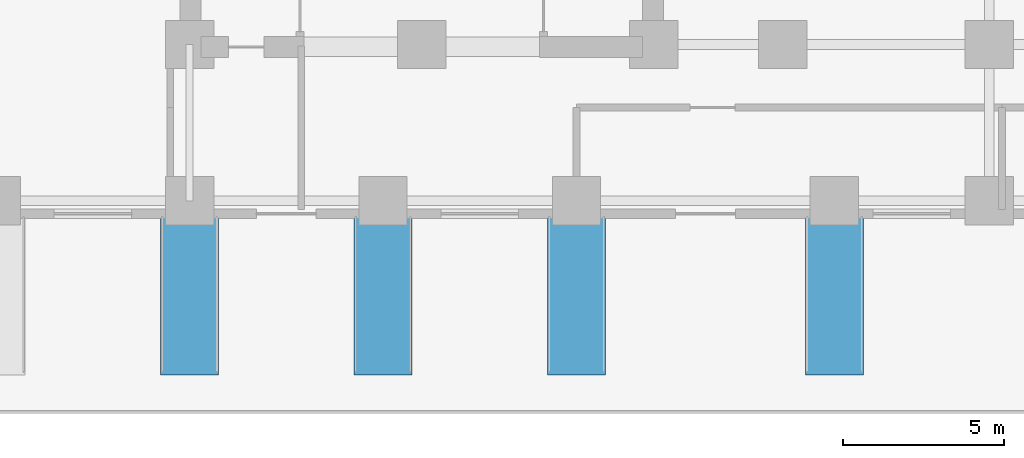
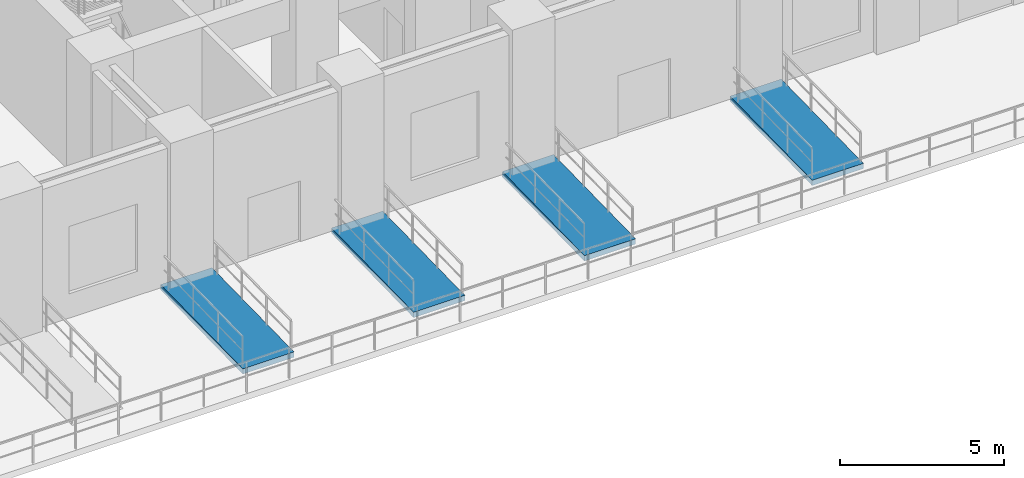
# One storey, part 18 of 22: 4 ramp flights, 4 elements without a shape of their own.
"""IFC4 building model written with IfcOpenShell, lengths in metres."""

from ifc_helpers import new_model, si_unit, direction, frame, origin, place, context, subcontext, project, spatial, polyline, outline, extrude, material, type_object, element, aggregate, save


model = new_model("IFC4")

# Units and contexts
model_context = context("Model", 3, precision=1e-05, world=origin(), true_north=direction((0.0, 1.0)))
body_context = subcontext(model_context, "Body", "Model", "MODEL_VIEW")
ifc_project = project(units=[si_unit("LENGTHUNIT", "METRE"), si_unit("AREAUNIT", "SQUARE_METRE"), si_unit("VOLUMEUNIT", "CUBIC_METRE"), si_unit("PLANEANGLEUNIT", "RADIAN"), si_unit("MASSUNIT", "GRAM", prefix="KILO")], contexts=[model_context])

# Site, building, storey
site_placement = place(None, origin())
site = spatial("IfcSite", under=ifc_project, at=site_placement, CompositionType="ELEMENT")
building_placement = place(site_placement, origin())
building = spatial("IfcBuilding", under=site, at=building_placement, Name="Kaliganga Portal Commons", CompositionType="ELEMENT")
storey_placement = place(building_placement, origin())
storey = spatial("IfcBuildingStorey", under=building, at=storey_placement, Name="L00", CompositionType="ELEMENT", Elevation=0.0)

# Ramp, ramp flight
ifc_material = material(Name="Concrete C40/50", Category="concrete")
ramp_type = type_object("IfcRampType", Name="RMP-PROM-ACC", PredefinedType="STRAIGHT_RUN_RAMP", material=ifc_material)
ramp_1_placement = place(storey_placement, origin())
ramp_1 = element("IfcRamp", 1, at=ramp_1_placement, inside=storey, type_object=ramp_type, Name="Accessible Canal Promenade Ramp RMP-03", PredefinedType="STRAIGHT_RUN_RAMP")
ramp_flight_type = type_object("IfcRampFlightType", Name="RMF-PROM-180", PredefinedType="STRAIGHT", material=ifc_material)
ramp_flight_1_placement = place(storey_placement, frame((35.10009765625, -3.199951171875, -0.10009765625), z_axis=(0.0, -0.020015520725, 0.999799669399), x_axis=(1.0, 0.0, 0.0)))
ramp_flight_1 = element("IfcRampFlight", 2, at=ramp_flight_1_placement, type_object=ramp_flight_type, Name="Accessible Canal Promenade Ramp Flight RMF-03", PredefinedType="STRAIGHT", context=body_context, shape_type="SweptSolid", body=[
    extrude(outline(polyline([(0.0, 0.0), (1.7998046875, 0.0), (1.7998046875, 5.0010018537075895), (0.0, 5.0010018537075895), (0.0, 0.0)])), origin(), (0.0, 0.0, -1.0), 0.199951171875),
])
aggregate(ramp_1, [ramp_flight_1])

ramp_2_placement = place(storey_placement, origin())
ramp_2 = element("IfcRamp", 3, at=ramp_2_placement, inside=storey, type_object=ramp_type, Name="Accessible Canal Promenade Ramp RMP-04", PredefinedType="STRAIGHT_RUN_RAMP")
ramp_flight_2_placement = place(storey_placement, frame((41.10009765625, -3.199951171875, -0.10009765625), z_axis=(0.0, -0.020015520725, 0.999799669399), x_axis=(1.0, 0.0, 0.0)))
ramp_flight_2 = element("IfcRampFlight", 4, at=ramp_flight_2_placement, type_object=ramp_flight_type, Name="Accessible Canal Promenade Ramp Flight RMF-04", PredefinedType="STRAIGHT", context=body_context, shape_type="SweptSolid", body=[
    extrude(outline(polyline([(0.0, 0.0), (1.7998046875, 0.0), (1.7998046875, 5.0010018537075895), (0.0, 5.0010018537075895), (0.0, 0.0)])), origin(), (0.0, 0.0, -1.0), 0.199951171875),
])
aggregate(ramp_2, [ramp_flight_2])

ramp_3_placement = place(storey_placement, origin())
ramp_3 = element("IfcRamp", 5, at=ramp_3_placement, inside=storey, type_object=ramp_type, Name="Accessible Canal Promenade Ramp RMP-05", PredefinedType="STRAIGHT_RUN_RAMP")
ramp_flight_3_placement = place(storey_placement, frame((47.10009765625, -3.199951171875, -0.10009765625), z_axis=(0.0, -0.020015520725, 0.999799669399), x_axis=(1.0, 0.0, 0.0)))
ramp_flight_3 = element("IfcRampFlight", 6, at=ramp_flight_3_placement, type_object=ramp_flight_type, Name="Accessible Canal Promenade Ramp Flight RMF-05", PredefinedType="STRAIGHT", context=body_context, shape_type="SweptSolid", body=[
    extrude(outline(polyline([(0.0, 0.0), (1.7998046875, 0.0), (1.7998046875, 5.0010018537075895), (0.0, 5.0010018537075895), (0.0, 0.0)])), origin(), (0.0, 0.0, -1.0), 0.199951171875),
])
aggregate(ramp_3, [ramp_flight_3])

ramp_4_placement = place(storey_placement, origin())
ramp_4 = element("IfcRamp", 7, at=ramp_4_placement, inside=storey, type_object=ramp_type, Name="Accessible Canal Promenade Ramp RMP-06", PredefinedType="STRAIGHT_RUN_RAMP")
ramp_flight_4_placement = place(storey_placement, frame((55.10009765625, -3.199951171875, -0.10009765625), z_axis=(0.0, -0.020015520725, 0.999799669399), x_axis=(1.0, 0.0, 0.0)))
ramp_flight_4 = element("IfcRampFlight", 8, at=ramp_flight_4_placement, type_object=ramp_flight_type, Name="Accessible Canal Promenade Ramp Flight RMF-06", PredefinedType="STRAIGHT", context=body_context, shape_type="SweptSolid", body=[
    extrude(outline(polyline([(0.0, 0.0), (1.7998046875, 0.0), (1.7998046875, 5.0010018537075895), (0.0, 5.0010018537075895), (0.0, 0.0)])), origin(), (0.0, 0.0, -1.0), 0.199951171875),
])
aggregate(ramp_4, [ramp_flight_4])

save(model, "model.ifc")
